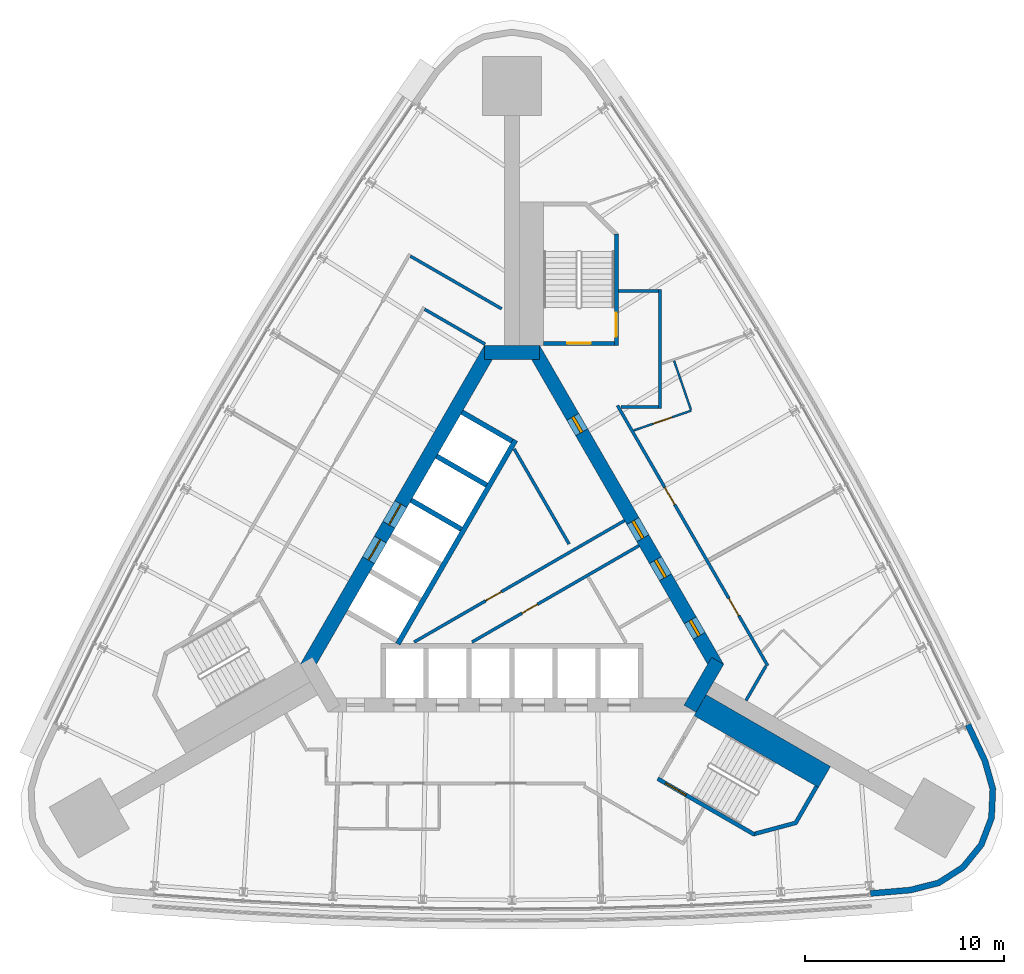
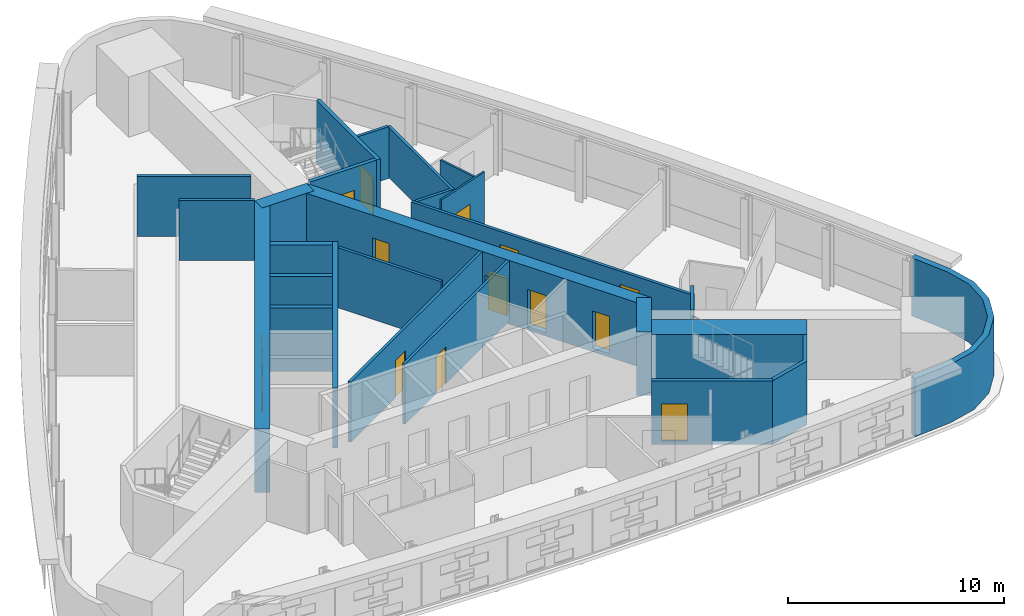
# One storey, part 8 of 11: 26 walls, 14 doors, 14 openings.
"""IFC4 building model written with IfcOpenShell, lengths in metres."""

from ifc_helpers import new_model, si_unit, direction, frame, frame_2d, origin, place, context, subcontext, project, spatial, polyline, rectangle, outline, extrude, material, layer, layer_set, type_object, element, fill, save


model = new_model("IFC4")

# Units and contexts
model_context = context("Model", 3, precision=1e-05, world=origin(), true_north=direction((0.0, 1.0)))
body_context = subcontext(model_context, "Body", "Model", "MODEL_VIEW")
ifc_project = project(units=[si_unit("LENGTHUNIT", "METRE"), si_unit("AREAUNIT", "SQUARE_METRE"), si_unit("VOLUMEUNIT", "CUBIC_METRE"), si_unit("PLANEANGLEUNIT", "RADIAN"), si_unit("MASSUNIT", "GRAM", prefix="KILO")], contexts=[model_context])

# Site, building, storey
site_placement = place(None, origin())
site = spatial("IfcSite", under=ifc_project, at=site_placement, CompositionType="ELEMENT")
building_placement = place(site_placement, origin())
building = spatial("IfcBuilding", under=site, at=building_placement, Name="Noor Cloister Tower", CompositionType="ELEMENT")
storey_placement = place(building_placement, frame((0.0, 0.0, 116.699951171875)))
storey = spatial("IfcBuildingStorey", under=building, at=storey_placement, Name="L30", CompositionType="ELEMENT", Elevation=116.699951171875)

# Wall, opening, door
ifc_material_1 = material(Name="Concrete C30/37", Category="concrete")
ifc_layer_1 = layer(ifc_material_1, 0.14990234375)
ifc_layer_set_1 = layer_set([ifc_layer_1], Name="Core partition 150 C30/37")
wall_type_1 = type_object("IfcWallType", Name="Core partition 150 C30/37", PredefinedType="PARTITIONING", material=ifc_layer_set_1)
wall_1_placement = place(storey_placement, frame((-4.904296875, -3.4130859375, 0.0), z_axis=(0.0, 0.0, 1.0), x_axis=(0.866020716117, 0.500008119189, 0.0)))
wall_1 = element("IfcWall", 1, at=wall_1_placement, inside=storey, type_object=wall_type_1, Name="Core room partition L30 1", PredefinedType="PARTITIONING", context=body_context, shape_type="SweptSolid", body=[
    extrude(rectangle(XDim=12.181884765625, YDim=0.14990234375, at=frame_2d((6.0908203125, 0.0))), origin(), (0.0, 0.0, 1.0), 3.400146484375),
])
opening_1_placement = place(wall_1_placement, frame((4.14208984375, 0.0, 0.0)))
opening_1 = element("IfcOpeningElement", 2, at=opening_1_placement, cuts=wall_1, Name="Opening L30-906", PredefinedType="OPENING", context=body_context, shape_type="SweptSolid", body=[
    extrude(rectangle(XDim=0.89990234375, YDim=2.10009765625, at=frame_2d((0.449951171875, 1.050048828125))), frame((0.0, 0.0849609375, 0.0), z_axis=(0.0, -1.0, 0.0), x_axis=(1.0, 0.0, 0.0)), (0.0, 0.0, 1.0), 0.169921875),
])
ifc_material_2 = material(Name="Steel", Category="steel")
door_type_1 = type_object("IfcDoorType", Name="Core door 900 x 2100 FD120", OperationType="SINGLE_SWING_LEFT", PredefinedType="DOOR", material=ifc_material_2)
door_1_placement = place(opening_1_placement, origin())
door_1 = element("IfcDoor", 3, at=door_1_placement, inside=storey, type_object=door_type_1, Name="Core door 6 L30", OperationType="SINGLE_SWING_RIGHT", OverallHeight=2.10009765625, OverallWidth=0.89990234375, PredefinedType="DOOR", context=body_context, shape_type="SweptSolid", body=[
    extrude(rectangle(XDim=0.89990234375, YDim=2.10009765625, at=frame_2d((0.449951171875, 1.050048828125))), frame((0.0, 0.02490234375, 0.0), z_axis=(0.0, -1.0, 0.0), x_axis=(1.0, 0.0, 0.0)), (0.0, 0.0, 1.0), 0.050048828125),
])
fill(opening_1, door_1)

wall_2_placement = place(storey_placement, frame((-2.00439453125, -3.4130859375, 0.0), z_axis=(0.0, 0.0, 1.0), x_axis=(0.866030034802, 0.499991978756, 0.0)))
wall_2 = element("IfcWall", 4, at=wall_2_placement, inside=storey, type_object=wall_type_1, Name="Core room partition L30 2", PredefinedType="PARTITIONING", context=body_context, shape_type="SweptSolid", body=[
    extrude(rectangle(XDim=9.670654296875, YDim=0.14990234375, at=frame_2d((4.83544921875, 0.0))), origin(), (0.0, 0.0, 1.0), 3.400146484375),
])
opening_2_placement = place(wall_2_placement, frame((2.88623046875, 0.0, 0.0)))
opening_2 = element("IfcOpeningElement", 5, at=opening_2_placement, cuts=wall_2, Name="Opening L30-905", PredefinedType="OPENING", context=body_context, shape_type="SweptSolid", body=[
    extrude(rectangle(XDim=0.89990234375, YDim=2.10009765625, at=frame_2d((0.449951171875, 1.050048828125))), frame((0.0, 0.0849609375, 0.0), z_axis=(0.0, -1.0, 0.0), x_axis=(1.0, 0.0, 0.0)), (0.0, 0.0, 1.0), 0.169921875),
])
ifc_material_3 = material(Name="Steel", Category="steel")
door_type_2 = type_object("IfcDoorType", Name="Core door 900 x 2100 FD60", OperationType="SINGLE_SWING_LEFT", PredefinedType="DOOR", material=ifc_material_3)
door_2_placement = place(opening_2_placement, origin())
door_2 = element("IfcDoor", 6, at=door_2_placement, inside=storey, type_object=door_type_2, Name="Core door 5 L30", OperationType="SINGLE_SWING_LEFT", OverallHeight=2.10009765625, OverallWidth=0.89990234375, PredefinedType="DOOR", context=body_context, shape_type="SweptSolid", body=[
    extrude(rectangle(XDim=0.89990234375, YDim=2.10009765625, at=frame_2d((0.449951171875, 1.050048828125))), frame((0.0, 0.02490234375, 0.0), z_axis=(0.0, -1.0, 0.0), x_axis=(1.0, 0.0, 0.0)), (0.0, 0.0, 1.0), 0.050048828125),
])
fill(opening_2, door_2)

# Walls
wall_3_placement = place(storey_placement, frame((2.860107421875, 1.502685546875, 0.0), z_axis=(0.0, 0.0, 1.0), x_axis=(-0.500014382217, 0.866017100048, 0.0)))
element("IfcWall", 7, at=wall_3_placement, inside=storey, type_object=wall_type_1, Name="Core room partition L30 3", PredefinedType="PARTITIONING", context=body_context, shape_type="SweptSolid", body=[
    extrude(rectangle(XDim=5.501708984375, YDim=0.14990234375, at=frame_2d((2.7509765625, 0.0))), origin(), (0.0, 0.0, 1.0), 3.400146484375),
])
ifc_material_4 = material(Name="Concrete C80/95", Category="concrete")
ifc_layer_2 = layer(ifc_material_4, 0.699951171875)
ifc_layer_set_2 = layer_set([ifc_layer_2], Name="Core wall 700 C80/95")
wall_type_2 = type_object("IfcWallType", Name="Core wall 700 C80/95", PredefinedType="SHEAR", material=ifc_layer_set_2)
wall_4_placement = place(storey_placement, frame((8.925537109375, -6.753173828125, -0.199951171875), z_axis=(0.0, 0.0, 1.0), x_axis=(0.500042739161, 0.866000726912, 0.0)))
element("IfcWall", 8, at=wall_4_placement, inside=storey, type_object=wall_type_2, Name="Core wall L30 2", PredefinedType="SHEAR", context=body_context, shape_type="SweptSolid", body=[
    extrude(rectangle(XDim=2.771240234375, YDim=0.699951171875, at=frame_2d((1.3857421875, 0.0))), origin(), (0.0, 0.0, 1.0), 3.60009765625),
])

# Wall, openings, doors
wall_5_placement = place(storey_placement, frame((10.311279296875, -4.703125, -0.199951171875), z_axis=(0.0, 0.0, 1.0), x_axis=(-0.500001446645, 0.866024568562, 0.0)))
wall_5 = element("IfcWall", 9, at=wall_5_placement, inside=storey, type_object=wall_type_2, Name="Core wall L30 3", PredefinedType="SHEAR", context=body_context, shape_type="SweptSolid", body=[
    extrude(rectangle(XDim=18.45751953125, YDim=0.699951171875, at=frame_2d((9.228759765625, 0.0))), origin(), (0.0, 0.0, 1.0), 3.60009765625),
])
opening_3_placement = place(wall_5_placement, frame((7.5, 0.0, 0.199951171875)))
opening_3 = element("IfcOpeningElement", 10, at=opening_3_placement, cuts=wall_5, Name="Opening L30-901", PredefinedType="OPENING", context=body_context, shape_type="SweptSolid", body=[
    extrude(rectangle(XDim=1.0, YDim=2.10009765625, at=frame_2d((0.5, 1.050048828125))), frame((0.0, 0.35986328125, 0.0), z_axis=(0.0, -1.0, 0.0), x_axis=(1.0, 0.0, 0.0)), (0.0, 0.0, 1.0), 0.719970703125),
])
opening_4_placement = place(wall_5_placement, frame((1.85205078125, 0.0, 0.199951171875)))
opening_4 = element("IfcOpeningElement", 11, at=opening_4_placement, cuts=wall_5, Name="Opening L30-902", PredefinedType="OPENING", context=body_context, shape_type="SweptSolid", body=[
    extrude(rectangle(XDim=0.89990234375, YDim=2.10009765625, at=frame_2d((0.449951171875, 1.050048828125))), frame((0.0, 0.35986328125, 0.0), z_axis=(0.0, -1.0, 0.0), x_axis=(1.0, 0.0, 0.0)), (0.0, 0.0, 1.0), 0.719970703125),
])
opening_5_placement = place(wall_5_placement, frame((5.237548828125, 0.0, 0.199951171875)))
opening_5 = element("IfcOpeningElement", 12, at=opening_5_placement, cuts=wall_5, Name="Opening L30-903", PredefinedType="OPENING", context=body_context, shape_type="SweptSolid", body=[
    extrude(rectangle(XDim=1.0, YDim=2.10009765625, at=frame_2d((0.5, 1.050048828125))), frame((0.0, 0.35986328125, 0.0), z_axis=(0.0, -1.0, 0.0), x_axis=(1.0, 0.0, 0.0)), (0.0, 0.0, 1.0), 0.719970703125),
])
opening_6_placement = place(wall_5_placement, frame((13.6298828125, 0.0, 0.199951171875)))
opening_6 = element("IfcOpeningElement", 13, at=opening_6_placement, cuts=wall_5, Name="Opening L30-904", PredefinedType="OPENING", context=body_context, shape_type="SweptSolid", body=[
    extrude(rectangle(XDim=0.89990234375, YDim=2.10009765625, at=frame_2d((0.449951171875, 1.050048828125))), frame((0.0, 0.35986328125, 0.0), z_axis=(0.0, -1.0, 0.0), x_axis=(1.0, 0.0, 0.0)), (0.0, 0.0, 1.0), 0.719970703125),
])
ifc_material_5 = material(Name="Steel", Category="steel")
door_type_3 = type_object("IfcDoorType", Name="Core door 1000 x 2100 FD120", OperationType="SINGLE_SWING_LEFT", PredefinedType="DOOR", material=ifc_material_5)
door_3_placement = place(opening_3_placement, origin())
door_3 = element("IfcDoor", 14, at=door_3_placement, inside=storey, type_object=door_type_3, Name="Core door 1 L30", OperationType="SINGLE_SWING_LEFT", OverallHeight=2.10009765625, OverallWidth=1.0, PredefinedType="DOOR", context=body_context, shape_type="SweptSolid", body=[
    extrude(rectangle(XDim=1.0, YDim=2.10009765625, at=frame_2d((0.5, 1.050048828125))), frame((0.0, 0.074951171875, 0.0), z_axis=(0.0, -1.0, 0.0), x_axis=(1.0, 0.0, 0.0)), (0.0, 0.0, 1.0), 0.14990234375),
])
fill(opening_3, door_3)
ifc_material_6 = material(Name="Steel", Category="steel")
door_type_4 = type_object("IfcDoorType", Name="Core door 1000 x 2100 FD60", OperationType="SINGLE_SWING_LEFT", PredefinedType="DOOR", material=ifc_material_6)
door_4_placement = place(opening_5_placement, origin())
door_4 = element("IfcDoor", 15, at=door_4_placement, inside=storey, type_object=door_type_4, Name="Core door 3 L30", OperationType="SINGLE_SWING_LEFT", OverallHeight=2.10009765625, OverallWidth=1.0, PredefinedType="DOOR", context=body_context, shape_type="SweptSolid", body=[
    extrude(rectangle(XDim=1.0, YDim=2.10009765625, at=frame_2d((0.5, 1.050048828125))), frame((0.0, 0.074951171875, 0.0), z_axis=(0.0, -1.0, 0.0), x_axis=(1.0, 0.0, 0.0)), (0.0, 0.0, 1.0), 0.14990234375),
])
fill(opening_5, door_4)
door_5_placement = place(opening_6_placement, origin())
door_5 = element("IfcDoor", 16, at=door_5_placement, inside=storey, type_object=door_type_1, Name="Core door 4 L30", OperationType="SINGLE_SWING_RIGHT", OverallHeight=2.10009765625, OverallWidth=0.89990234375, PredefinedType="DOOR", context=body_context, shape_type="SweptSolid", body=[
    extrude(rectangle(XDim=0.89990234375, YDim=2.10009765625, at=frame_2d((0.449951171875, 1.050048828125))), frame((0.0, 0.074951171875, 0.0), z_axis=(0.0, -1.0, 0.0), x_axis=(1.0, 0.0, 0.0)), (0.0, 0.0, 1.0), 0.14990234375),
])
fill(opening_6, door_5)
door_6_placement = place(opening_4_placement, origin())
door_6 = element("IfcDoor", 17, at=door_6_placement, inside=storey, type_object=door_type_2, Name="Core door 2 L30", OperationType="SINGLE_SWING_RIGHT", OverallHeight=2.10009765625, OverallWidth=0.89990234375, PredefinedType="DOOR", context=body_context, shape_type="SweptSolid", body=[
    extrude(rectangle(XDim=0.89990234375, YDim=2.10009765625, at=frame_2d((0.449951171875, 1.050048828125))), frame((0.0, 0.074951171875, 0.0), z_axis=(0.0, -1.0, 0.0), x_axis=(1.0, 0.0, 0.0)), (0.0, 0.0, 1.0), 0.14990234375),
])
fill(opening_4, door_6)

# Wall
wall_6_placement = place(storey_placement, frame((1.3857421875, 11.1064453125, -0.199951171875), z_axis=(0.0, 0.0, 1.0), x_axis=(-1.0, 0.0, 0.0)))
element("IfcWall", 18, at=wall_6_placement, inside=storey, type_object=wall_type_2, Name="Core wall L30 4", PredefinedType="SHEAR", context=body_context, shape_type="SweptSolid", body=[
    extrude(rectangle(XDim=2.771484375, YDim=0.699951171875, at=frame_2d((1.3857421875, 0.0))), origin(), (0.0, 0.0, 1.0), 3.60009765625),
])

# Wall, openings, doors
wall_7_placement = place(storey_placement, frame((-1.08251953125, 11.281494140625, -0.199951171875), z_axis=(0.0, 0.0, 1.0), x_axis=(-0.500001446645, -0.866024568562, 0.0)))
wall_7 = element("IfcWall", 19, at=wall_7_placement, inside=storey, type_object=wall_type_2, Name="Core wall L30 5", PredefinedType="SHEAR", context=body_context, shape_type="SweptSolid", body=[
    extrude(rectangle(XDim=18.45751953125, YDim=0.699951171875, at=frame_2d((9.228759765625, 0.0))), origin(), (0.0, 0.0, 1.0), 3.60009765625),
])
opening_7_placement = place(wall_7_placement, frame((8.978759765625, 0.0, 0.199951171875)))
opening_7 = element("IfcOpeningElement", 20, at=opening_7_placement, cuts=wall_7, Name="Opening L30-FF1", PredefinedType="OPENING", context=body_context, shape_type="SweptSolid", body=[
    extrude(rectangle(XDim=1.199951171875, YDim=2.10009765625, at=frame_2d((0.60009765625, 1.050048828125))), frame((0.0, 0.35986328125, 0.0), z_axis=(0.0, -1.0, 0.0), x_axis=(1.0, 0.0, 0.0)), (0.0, 0.0, 1.0), 0.719970703125),
])
opening_8_placement = place(wall_7_placement, frame((11.02880859375, 0.0, 0.199951171875)))
opening_8 = element("IfcOpeningElement", 21, at=opening_8_placement, cuts=wall_7, Name="Opening L30-FF2", PredefinedType="OPENING", context=body_context, shape_type="SweptSolid", body=[
    extrude(rectangle(XDim=1.199951171875, YDim=2.10009765625, at=frame_2d((0.60009765625, 1.050048828125))), frame((0.0, 0.35986328125, 0.0), z_axis=(0.0, -1.0, 0.0), x_axis=(1.0, 0.0, 0.0)), (0.0, 0.0, 1.0), 0.719970703125),
])
ifc_material_7 = material(Name="Stainless steel", Category="steel")
door_type_5 = type_object("IfcDoorType", Name="Lift landing door 1200 x 2100", OperationType="DOUBLE_DOOR_SLIDING", PredefinedType="DOOR", material=ifc_material_7)
door_7_placement = place(opening_7_placement, origin())
door_7 = element("IfcDoor", 22, at=door_7_placement, inside=storey, type_object=door_type_5, Name="Landing door FF1 L30", OperationType="DOUBLE_DOOR_SLIDING", OverallHeight=2.10009765625, OverallWidth=1.199951171875, PredefinedType="DOOR", context=body_context, shape_type="SweptSolid", body=[
    extrude(rectangle(XDim=1.199951171875, YDim=2.10009765625, at=frame_2d((0.60009765625, 1.050048828125))), frame((0.0, 0.02490234375, 0.0), z_axis=(0.0, -1.0, 0.0), x_axis=(1.0, 0.0, 0.0)), (0.0, 0.0, 1.0), 0.050048828125),
])
fill(opening_7, door_7)
door_8_placement = place(opening_8_placement, origin())
door_8 = element("IfcDoor", 23, at=door_8_placement, inside=storey, type_object=door_type_5, Name="Landing door FF2 L30", OperationType="DOUBLE_DOOR_SLIDING", OverallHeight=2.10009765625, OverallWidth=1.199951171875, PredefinedType="DOOR", context=body_context, shape_type="SweptSolid", body=[
    extrude(rectangle(XDim=1.199951171875, YDim=2.10009765625, at=frame_2d((0.60009765625, 1.050048828125))), frame((0.0, 0.02490234375, 0.0), z_axis=(0.0, -1.0, 0.0), x_axis=(1.0, 0.0, 0.0)), (0.0, 0.0, 1.0), 0.050048828125),
])
fill(opening_8, door_8)

# Wall
ifc_material_8 = material(Name="Fire-rated gypsum board partition on steel studs, 150 mm", Category="steel")
ifc_layer_3 = layer(ifc_material_8, 0.14990234375)
ifc_layer_set_3 = layer_set([ifc_layer_3], Name="Fire lobby wall 150")
wall_type_3 = type_object("IfcWallType", Name="Fire lobby wall 150", PredefinedType="PARTITIONING", material=ifc_layer_set_3)
wall_8_placement = place(storey_placement, frame((-4.379150390625, 13.271484375, 0.0), z_axis=(0.0, 0.0, 1.0), x_axis=(0.866019471182, -0.500010275428, 0.0)))
element("IfcWall", 24, at=wall_8_placement, inside=storey, type_object=wall_type_3, Name="Fire lobby wall 150 L30 008", PredefinedType="PARTITIONING", context=body_context, shape_type="SweptSolid", body=[
    extrude(rectangle(XDim=3.5, YDim=0.14990234375, at=frame_2d((1.75, 0.0))), origin(), (0.0, 0.0, 1.0), 3.400146484375),
])

# Wall, openings, doors
ifc_material_9 = material(Name="Gypsum board partition on steel studs, 150 mm", Category="steel")
ifc_layer_4 = layer(ifc_material_9, 0.14990234375)
ifc_layer_set_4 = layer_set([ifc_layer_4], Name="Flat wall 150")
wall_type_4 = type_object("IfcWallType", Name="Flat wall 150", PredefinedType="PARTITIONING", material=ifc_layer_set_4)
wall_9_placement = place(storey_placement, frame((5.28857421875, 8.4462890625, 0.0), z_axis=(0.0, 0.0, 1.0), x_axis=(0.499996620721, -0.866027354803, 0.0)))
wall_9 = element("IfcWall", 25, at=wall_9_placement, inside=storey, type_object=wall_type_4, Name="Flat wall 150 L30 003", PredefinedType="PARTITIONING", context=body_context, shape_type="SweptSolid", body=[
    extrude(rectangle(XDim=15.056640625, YDim=0.14990234375, at=frame_2d((7.5283203125, 0.0))), origin(), (0.0, 0.0, 1.0), 2.84716796875),
])
opening_9_placement = place(wall_9_placement, frame((11.17041015625, 0.0, 0.0)))
opening_9 = element("IfcOpeningElement", 26, at=opening_9_placement, cuts=wall_9, Name="Opening L30-005", PredefinedType="OPENING", context=body_context, shape_type="SweptSolid", body=[
    extrude(rectangle(XDim=1.0, YDim=2.10009765625, at=frame_2d((0.5, 1.050048828125))), frame((0.0, 0.0849609375, 0.0), z_axis=(0.0, -1.0, 0.0), x_axis=(1.0, 0.0, 0.0)), (0.0, 0.0, 1.0), 0.169921875),
])
opening_10_placement = place(wall_9_placement, frame((4.736328125, 0.0, 0.0)))
opening_10 = element("IfcOpeningElement", 27, at=opening_10_placement, cuts=wall_9, Name="Opening L30-006", PredefinedType="OPENING", context=body_context, shape_type="SweptSolid", body=[
    extrude(rectangle(XDim=1.0, YDim=2.10009765625, at=frame_2d((0.5, 1.050048828125))), frame((0.0, 0.0849609375, 0.0), z_axis=(0.0, -1.0, 0.0), x_axis=(1.0, 0.0, 0.0)), (0.0, 0.0, 1.0), 0.169921875),
])
ifc_material_10 = material(Name="Timber door leaf with steel frame", Category="steel")
door_type_6 = type_object("IfcDoorType", Name="Flat entrance door 1000 FD60S", OperationType="NOTDEFINED", PredefinedType="DOOR", material=ifc_material_10)
door_9_placement = place(opening_9_placement, origin())
door_9 = element("IfcDoor", 28, at=door_9_placement, inside=storey, type_object=door_type_6, Name="Flat entrance door 1000 L30-005", OperationType="SINGLE_SWING_RIGHT", OverallHeight=2.10009765625, OverallWidth=1.0, PredefinedType="DOOR", context=body_context, shape_type="SweptSolid", body=[
    extrude(rectangle(XDim=1.0, YDim=2.10009765625, at=frame_2d((0.5, 1.050048828125))), frame((0.0, 0.02490234375, 0.0), z_axis=(0.0, -1.0, 0.0), x_axis=(1.0, 0.0, 0.0)), (0.0, 0.0, 1.0), 0.050048828125),
])
fill(opening_9, door_9)
door_10_placement = place(opening_10_placement, origin())
door_10 = element("IfcDoor", 29, at=door_10_placement, inside=storey, type_object=door_type_6, Name="Flat entrance door 1000 L30-006", OperationType="SINGLE_SWING_LEFT", OverallHeight=2.10009765625, OverallWidth=1.0, PredefinedType="DOOR", context=body_context, shape_type="SweptSolid", body=[
    extrude(rectangle(XDim=1.0, YDim=2.10009765625, at=frame_2d((0.5, 1.050048828125))), frame((0.0, 0.02490234375, 0.0), z_axis=(0.0, -1.0, 0.0), x_axis=(1.0, 0.0, 0.0)), (0.0, 0.0, 1.0), 0.050048828125),
])
fill(opening_10, door_10)

# Walls
wall_10_placement = place(storey_placement, frame((7.41064453125, 8.306396484375, 0.0), z_axis=(0.0, 0.0, 1.0), x_axis=(0.0, 1.0, 0.0)))
element("IfcWall", 30, at=wall_10_placement, inside=storey, type_object=wall_type_4, Name="Flat wall 150 L30 006", PredefinedType="PARTITIONING", context=body_context, shape_type="SweptSolid", body=[
    extrude(rectangle(XDim=5.949951171875, YDim=0.14990234375, at=frame_2d((2.97509765625, 0.0))), origin(), (0.0, 0.0, 1.0), 2.84716796875),
])
wall_11_placement = place(storey_placement, frame((-5.093017578125, 15.93505859375, 0.0), z_axis=(0.0, 0.0, 1.0), x_axis=(0.866033195618, -0.499986503906, 0.0)))
element("IfcWall", 31, at=wall_11_placement, inside=storey, type_object=wall_type_4, Name="Flat wall 150 L30 007", PredefinedType="PARTITIONING", context=body_context, shape_type="SweptSolid", body=[
    extrude(rectangle(XDim=5.282470703125, YDim=0.14990234375, at=frame_2d((2.64111328125, 0.0))), origin(), (0.0, 0.0, 1.0), 3.400146484375),
])
wall_12_placement = place(storey_placement, frame((11.73291015625, -6.3408203125, 0.0), z_axis=(0.0, 0.0, 1.0), x_axis=(0.50003033167, 0.866007891078, 0.0)))
element("IfcWall", 32, at=wall_12_placement, inside=storey, type_object=wall_type_4, Name="Flat wall 150 L30 010", PredefinedType="PARTITIONING", context=body_context, shape_type="SweptSolid", body=[
    extrude(rectangle(XDim=1.99072265625, YDim=0.14990234375, at=frame_2d((0.995361328125, 0.0))), origin(), (0.0, 0.0, 1.0), 3.400146484375),
])
wall_13_placement = place(storey_placement, frame((5.335693359375, 14.181396484375, 0.0), z_axis=(0.0, 0.0, 1.0), x_axis=(1.0, 0.0, 0.0)))
element("IfcWall", 33, at=wall_13_placement, inside=storey, type_object=wall_type_4, Name="Flat wall 150 L30 011", PredefinedType="PARTITIONING", context=body_context, shape_type="SweptSolid", body=[
    extrude(rectangle(XDim=2.0, YDim=0.14990234375, at=frame_2d((1.0, 0.0))), origin(), (0.0, 0.0, 1.0), 2.923095703125),
])
wall_14_placement = place(storey_placement, frame((5.4560546875, 8.38134765625, 0.0), z_axis=(0.0, 0.0, 1.0), x_axis=(1.0, 0.0, 0.0)))
element("IfcWall", 34, at=wall_14_placement, inside=storey, type_object=wall_type_4, Name="Flat wall 150 L30 013", PredefinedType="PARTITIONING", context=body_context, shape_type="SweptSolid", body=[
    extrude(rectangle(XDim=1.879638671875, YDim=0.14990234375, at=frame_2d((0.93994140625, 0.0))), origin(), (0.0, 0.0, 1.0), 2.84716796875),
])
ifc_material_11 = material(Name="Limestone", Category="masonry")
ifc_layer_5 = layer(ifc_material_11, 0.300048828125)
ifc_layer_set_5 = layer_set([ifc_layer_5], Name="Limestone cladding 300")
wall_type_5 = type_object("IfcWallType", Name="Limestone cladding 300", PredefinedType="NOTDEFINED", material=ifc_layer_set_5)
wall_15_placement = place(storey_placement, origin())
element("IfcWall", 35, at=wall_15_placement, inside=storey, type_object=wall_type_5, Name="Limestone pier cladding L30 2.1", PredefinedType="NOTDEFINED", context=body_context, shape_type="SweptSolid", body=[
    extrude(outline(polyline([(17.980224609375, -16.1689453125), (19.99853515625, -15.995361328125), (21.44921875, -15.625244140625), (22.710693359375, -14.81884765625), (23.65576171875, -13.65771484375), (24.18896484375, -12.258544921875), (24.256591796875, -10.762939453125), (23.851806640625, -9.321533203125), (22.992919921875, -7.48681640625), (22.72119140625, -7.614013671875), (23.569580078125, -9.42626953125), (23.95458984375, -10.797607421875), (23.891357421875, -12.19677734375), (23.392578125, -13.505859375), (22.508544921875, -14.59228515625), (21.328369140625, -15.3466796875), (19.9482421875, -15.69873046875), (17.95458984375, -15.8701171875), (17.980224609375, -16.1689453125)])), origin(), (0.0, 0.0, 1.0), 3.300048828125),
])

# Wall, opening, door
ifc_material_12 = material(Name="Gypsum board partition on steel studs, 100 mm", Category="steel")
ifc_layer_6 = layer(ifc_material_12, 0.10009765625)
ifc_layer_set_6 = layer_set([ifc_layer_6], Name="Partition 100")
wall_type_6 = type_object("IfcWallType", Name="Partition 100", PredefinedType="PARTITIONING", material=ifc_layer_set_6)
wall_16_placement = place(storey_placement, frame((6.10693359375, 7.197998046875, 0.0), z_axis=(0.0, 0.0, 1.0), x_axis=(0.94554324897, 0.325496488962, 0.0)))
wall_16 = element("IfcWall", 36, at=wall_16_placement, inside=storey, type_object=wall_type_6, Name="Partition 100 L30 025", PredefinedType="PARTITIONING", context=body_context, shape_type="SweptSolid", body=[
    extrude(rectangle(XDim=3.045166015625, YDim=0.10009765625, at=frame_2d((1.5224609375, 0.0))), origin(), (0.0, 0.0, 1.0), 3.400146484375),
])
opening_11_placement = place(wall_16_placement, frame((1.017822265625, 0.0, 0.0)))
opening_11 = element("IfcOpeningElement", 37, at=opening_11_placement, cuts=wall_16, Name="Opening L30-015", PredefinedType="OPENING", context=body_context, shape_type="SweptSolid", body=[
    extrude(rectangle(XDim=1.0, YDim=2.10009765625, at=frame_2d((0.5, 1.050048828125))), frame((0.0, 0.06005859375, 0.0), z_axis=(0.0, -1.0, 0.0), x_axis=(1.0, 0.0, 0.0)), (0.0, 0.0, 1.0), 0.1201171875),
])
ifc_material_13 = material(Name="Timber door leaf with steel frame", Category="steel")
door_type_7 = type_object("IfcDoorType", Name="Interior door 1000", OperationType="NOTDEFINED", PredefinedType="DOOR", material=ifc_material_13)
door_11_placement = place(opening_11_placement, origin())
door_11 = element("IfcDoor", 38, at=door_11_placement, inside=storey, type_object=door_type_7, Name="Interior door 1000 L30-015", OperationType="SINGLE_SWING_LEFT", OverallHeight=2.10009765625, OverallWidth=1.0, PredefinedType="DOOR", context=body_context, shape_type="SweptSolid", body=[
    extrude(rectangle(XDim=1.0, YDim=2.10009765625, at=frame_2d((0.5, 1.050048828125))), frame((0.0, 0.02490234375, 0.0), z_axis=(0.0, -1.0, 0.0), x_axis=(1.0, 0.0, 0.0)), (0.0, 0.0, 1.0), 0.050048828125),
])
fill(opening_11, door_11)

# Walls
wall_17_placement = place(storey_placement, frame((8.123779296875, 10.69482421875, 0.0), z_axis=(0.0, 0.0, 1.0), x_axis=(0.325536334257, -0.945529531574, 0.0)))
element("IfcWall", 39, at=wall_17_placement, inside=storey, type_object=wall_type_6, Name="Partition 100 L30 026", PredefinedType="PARTITIONING", context=body_context, shape_type="SweptSolid", body=[
    extrude(rectangle(XDim=2.60009765625, YDim=0.10009765625, at=frame_2d((1.300048828125, 0.0))), origin(), (0.0, 0.0, 1.0), 2.84716796875),
])
ifc_material_14 = material(Name="Concrete C80/95", Category="concrete")
ifc_layer_7 = layer(ifc_material_14, 0.25)
ifc_layer_set_7 = layer_set([ifc_layer_7], Name="Shaft wall 250 C80/95")
wall_type_7 = type_object("IfcWallType", Name="Shaft wall 250 C80/95", PredefinedType="PARTITIONING", material=ifc_layer_set_7)
wall_18_placement = place(storey_placement, frame((-2.50634765625, 8.115478515625, -0.199951171875), z_axis=(0.0, 0.0, 1.0), x_axis=(0.865996321171, -0.50005036918, 0.0)))
element("IfcWall", 40, at=wall_18_placement, inside=storey, type_object=wall_type_7, Name="Lift shaft wall L30 NW 1", PredefinedType="PARTITIONING", context=body_context, shape_type="SweptSolid", body=[
    extrude(rectangle(XDim=2.900146484375, YDim=0.25, at=frame_2d((1.4501953125, 0.0))), origin(), (0.0, 0.0, 1.0), 3.60009765625),
])
for number, where, z_axis, x_axis, name in (
    (41, (-3.78125, 5.906982421875, -0.199951171875), (0.0, 0.0, 1.0), (0.866032775405, -0.499987231761, 0.0), "Lift shaft wall L30 NW 2"),
    (42, (-5.056396484375, 3.69873046875, -0.199951171875), (0.0, 0.0, 1.0), (0.866032775405, -0.499987231761, 0.0), "Lift shaft wall L30 NW 3"),
):
    element("IfcWall", number, at=place(storey_placement, frame(where, z_axis=z_axis, x_axis=x_axis)), inside=storey, type_object=wall_type_7, Name=name, PredefinedType="PARTITIONING", context=body_context, shape_type="SweptSolid", body=[
        extrude(rectangle(XDim=2.89990234375, YDim=0.25, at=frame_2d((1.449951171875, 0.0))), origin(), (0.0, 0.0, 1.0), 3.60009765625),
    ])
wall_19_placement = place(storey_placement, frame((0.176025390625, 6.711181640625, 0.0), z_axis=(0.0, 0.0, 1.0), x_axis=(-0.500004227369, -0.866022963098, 0.0)))
element("IfcWall", 43, at=wall_19_placement, inside=storey, type_object=wall_type_7, Name="Lift shaft back wall L30 NW", PredefinedType="PARTITIONING", context=body_context, shape_type="SweptSolid", body=[
    extrude(rectangle(XDim=11.80029296875, YDim=0.25, at=frame_2d((5.900146484375, 0.0))), origin(), (0.0, 0.0, 1.0), 3.400146484375),
])
ifc_material_15 = material(Name="Concrete C80/95", Category="concrete")
ifc_layer_8 = layer(ifc_material_15, 1.2109375)
ifc_layer_set_8 = layer_set([ifc_layer_8], Name="Stair enclosure wall 1211 C80/95")
wall_type_8 = type_object("IfcWallType", Name="Stair enclosure wall 1211 C80/95", PredefinedType="SHEAR", material=ifc_layer_set_8)
wall_20_placement = place(storey_placement, frame((9.431396484375, -6.5771484375, -0.199951171875), z_axis=(0.0, 0.0, 1.0), x_axis=(0.866018442252, -0.500012057535, 0.0)))
element("IfcWall", 44, at=wall_20_placement, inside=storey, type_object=wall_type_8, Name="Stair enclosure wall ST3 L30 riser side", PredefinedType="SHEAR", context=body_context, shape_type="SweptSolid", body=[
    extrude(rectangle(XDim=7.199951171875, YDim=1.210693359375, at=frame_2d((3.60009765625, 0.0))), origin(), (0.0, 0.0, 1.0), 3.60009765625),
])

# Wall, opening, door
ifc_material_16 = material(Name="Concrete C80/95", Category="concrete")
ifc_layer_9 = layer(ifc_material_16, 0.199951171875)
ifc_layer_set_9 = layer_set([ifc_layer_9], Name="Stair enclosure wall 200 C80/95")
wall_type_9 = type_object("IfcWallType", Name="Stair enclosure wall 200 C80/95", PredefinedType="SHEAR", material=ifc_layer_set_9)
wall_21_placement = place(storey_placement, frame((5.135498046875, 11.556396484375, -0.199951171875), z_axis=(0.0, 0.0, 1.0), x_axis=(-1.0, 0.0, 0.0)))
wall_21 = element("IfcWall", 45, at=wall_21_placement, inside=storey, type_object=wall_type_9, Name="Stair enclosure wall ST1 L30 near end", PredefinedType="SHEAR", context=body_context, shape_type="SweptSolid", body=[
    extrude(rectangle(XDim=3.5498046875, YDim=0.199951171875, at=frame_2d((1.77490234375, 0.0))), origin(), (0.0, 0.0, 1.0), 3.60009765625),
])
opening_12_placement = place(wall_21_placement, frame((1.175048828125, 0.0, 0.199951171875)))
opening_12 = element("IfcOpeningElement", 46, at=opening_12_placement, cuts=wall_21, Name="Opening L30-ST1L", PredefinedType="OPENING", context=body_context, shape_type="SweptSolid", body=[
    extrude(rectangle(XDim=1.199951171875, YDim=2.10009765625, at=frame_2d((0.60009765625, 1.050048828125))), frame((0.0, 0.10986328125, 0.0), z_axis=(0.0, -1.0, 0.0), x_axis=(1.0, 0.0, 0.0)), (0.0, 0.0, 1.0), 0.219970703125),
])
ifc_material_17 = material(Name="Steel", Category="steel")
door_type_8 = type_object("IfcDoorType", Name="Stair door 1200 x 2100 FD120", OperationType="SINGLE_SWING_LEFT", PredefinedType="DOOR", material=ifc_material_17)
door_12_placement = place(opening_12_placement, origin())
door_12 = element("IfcDoor", 47, at=door_12_placement, inside=storey, type_object=door_type_8, Name="Stair door ST1 L30", OperationType="SINGLE_SWING_RIGHT", OverallHeight=2.10009765625, OverallWidth=1.199951171875, PredefinedType="DOOR", context=body_context, shape_type="SweptSolid", body=[
    extrude(rectangle(XDim=1.199951171875, YDim=2.10009765625, at=frame_2d((0.60009765625, 1.050048828125))), frame((0.0, 0.02490234375, 0.0), z_axis=(0.0, -1.0, 0.0), x_axis=(1.0, 0.0, 0.0)), (0.0, 0.0, 1.0), 0.050048828125),
])
fill(opening_12, door_12)

wall_22_placement = place(storey_placement, frame((5.235595703125, 11.456298828125, -0.199951171875), z_axis=(0.0, 0.0, 1.0), x_axis=(0.0, 1.0, 0.0)))
wall_22 = element("IfcWall", 48, at=wall_22_placement, inside=storey, type_object=wall_type_9, Name="Stair enclosure wall ST1 L30 outer side", PredefinedType="SHEAR", context=body_context, shape_type="SweptSolid", body=[
    extrude(rectangle(XDim=5.60009765625, YDim=0.199951171875, at=frame_2d((2.800048828125, 0.0))), origin(), (0.0, 0.0, 1.0), 3.60009765625),
])
opening_13_placement = place(wall_22_placement, frame((0.449951171875, 0.0, 0.199951171875)))
opening_13 = element("IfcOpeningElement", 49, at=opening_13_placement, cuts=wall_22, Name="Opening L30-ST1C", PredefinedType="OPENING", context=body_context, shape_type="SweptSolid", body=[
    extrude(rectangle(XDim=1.199951171875, YDim=2.10009765625, at=frame_2d((0.60009765625, 1.050048828125))), frame((0.0, 0.10986328125, 0.0), z_axis=(0.0, -1.0, 0.0), x_axis=(1.0, 0.0, 0.0)), (0.0, 0.0, 1.0), 0.219970703125),
])
door_13_placement = place(opening_13_placement, origin())
door_13 = element("IfcDoor", 50, at=door_13_placement, inside=storey, type_object=door_type_8, Name="Stair door ST1 L30", OperationType="SINGLE_SWING_LEFT", OverallHeight=2.10009765625, OverallWidth=1.199951171875, PredefinedType="DOOR", context=body_context, shape_type="SweptSolid", body=[
    extrude(rectangle(XDim=1.199951171875, YDim=2.10009765625, at=frame_2d((0.60009765625, 1.050048828125))), frame((0.0, 0.02490234375, 0.0), z_axis=(0.0, -1.0, 0.0), x_axis=(1.0, 0.0, 0.0)), (0.0, 0.0, 1.0), 0.050048828125),
])
fill(opening_13, door_13)

wall_23_placement = place(storey_placement, frame((7.3037109375, -10.262451171875, -0.199951171875), z_axis=(0.0, 0.0, 1.0), x_axis=(0.866026594901, -0.49999793692, 0.0)))
wall_23 = element("IfcWall", 51, at=wall_23_placement, inside=storey, type_object=wall_type_9, Name="Stair enclosure wall ST3 L30 outer side", PredefinedType="SHEAR", context=body_context, shape_type="SweptSolid", body=[
    extrude(rectangle(XDim=5.60009765625, YDim=0.199951171875, at=frame_2d((2.800048828125, 0.0))), origin(), (0.0, 0.0, 1.0), 3.60009765625),
])
opening_14_placement = place(wall_23_placement, frame((0.449951171875, 0.0, 0.199951171875)))
opening_14 = element("IfcOpeningElement", 52, at=opening_14_placement, cuts=wall_23, Name="Opening L30-ST3C", PredefinedType="OPENING", context=body_context, shape_type="SweptSolid", body=[
    extrude(rectangle(XDim=1.199951171875, YDim=2.10009765625, at=frame_2d((0.60009765625, 1.050048828125))), frame((0.0, 0.10986328125, 0.0), z_axis=(0.0, -1.0, 0.0), x_axis=(1.0, 0.0, 0.0)), (0.0, 0.0, 1.0), 0.219970703125),
])
door_14_placement = place(opening_14_placement, origin())
door_14 = element("IfcDoor", 53, at=door_14_placement, inside=storey, type_object=door_type_8, Name="Stair door ST3 L30", OperationType="SINGLE_SWING_LEFT", OverallHeight=2.10009765625, OverallWidth=1.199951171875, PredefinedType="DOOR", context=body_context, shape_type="SweptSolid", body=[
    extrude(rectangle(XDim=1.199951171875, YDim=2.10009765625, at=frame_2d((0.60009765625, 1.050048828125))), frame((0.0, 0.02490234375, 0.0), z_axis=(0.0, -1.0, 0.0), x_axis=(1.0, 0.0, 0.0)), (0.0, 0.0, 1.0), 0.050048828125),
])
fill(opening_14, door_14)

# Wall
ifc_material_18 = material(Name="Concrete C80/95", Category="concrete")
wall_type_10 = type_object("IfcWallType", Name="Stair far end wall C80/95", PredefinedType="SHEAR", material=ifc_material_18)
wall_24_placement = place(storey_placement, frame((0.0, 0.0, -0.199951171875)))
element("IfcWall", 54, at=wall_24_placement, inside=storey, type_object=wall_type_10, Name="Stair enclosure wall ST3 L30 far end", PredefinedType="SHEAR", context=body_context, shape_type="SweptSolid", body=[
    extrude(outline(polyline([(12.103515625, -13.14892578125), (14.2890625, -12.5634765625), (15.364013671875, -10.701416015625), (15.19091796875, -10.601318359375), (14.1572265625, -12.3916015625), (12.131591796875, -12.934326171875), (12.20361328125, -12.975830078125), (12.20361328125, -12.975830078125), (12.20361328125, -12.975830078125), (12.20361328125, -12.975830078125), (12.20361328125, -12.975830078125), (12.20361328125, -12.975830078125), (12.20361328125, -12.975830078125), (12.20361328125, -12.975830078125), (12.20361328125, -12.975830078125), (12.20361328125, -12.975830078125), (12.20361328125, -12.975830078125), (12.20361328125, -12.975830078125), (12.20361328125, -12.975830078125), (12.20361328125, -12.975830078125), (12.20361328125, -12.975830078125), (12.20361328125, -12.975830078125), (12.20361328125, -12.975830078125), (12.103515625, -13.14892578125)])), origin(), (0.0, 0.0, 1.0), 3.60009765625),
])

save(model, "model.ifc")
